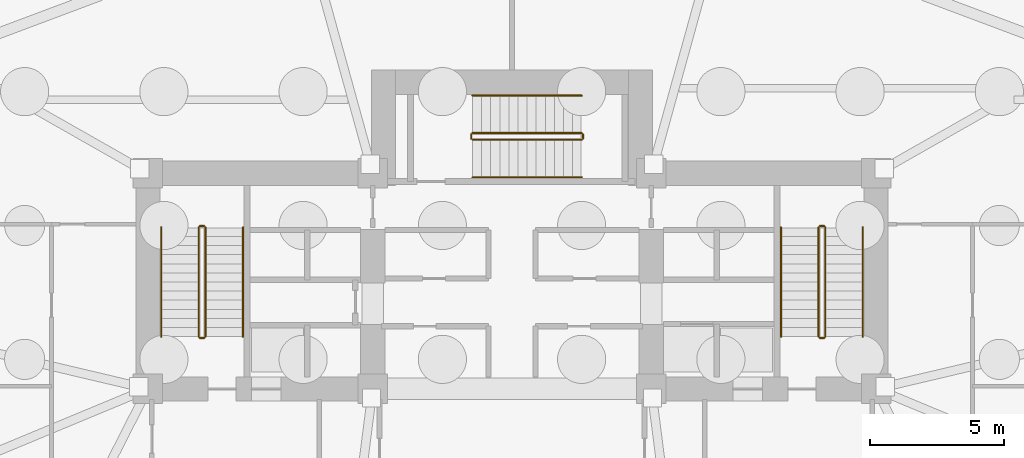
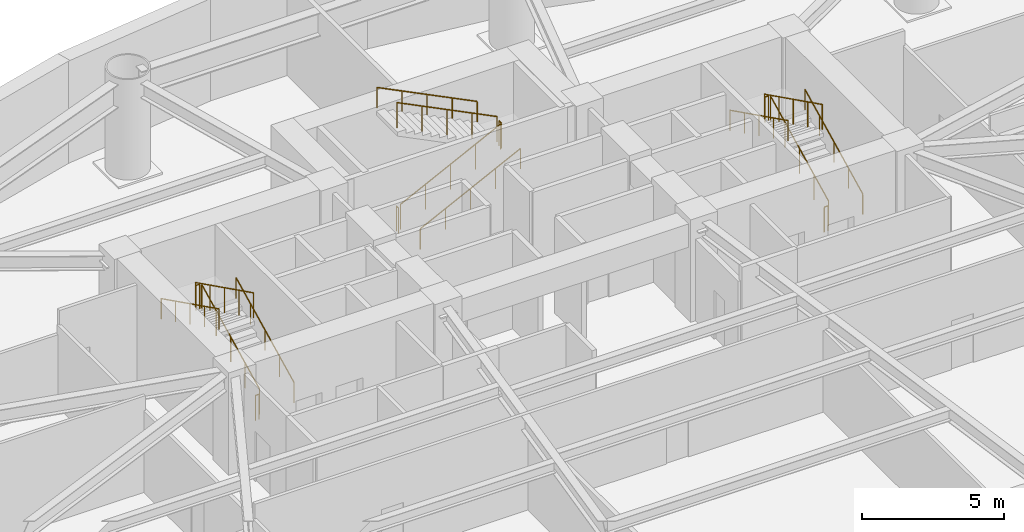
# One storey, part 6 of 7: 18 railings.
"""IFC4 building model written with IfcOpenShell, lengths in metres."""

import ifcopenshell
import ifcopenshell.guid

model = None  # the IFC model being written
_history = None  # IfcOwnerHistory: only IFC2X3 demands one
_inside = {}  # id of a spatial element -> (the spatial element, [elements in it])
_under = {}  # id of a project, library or spatial element -> (it, [spatial elements below it])
_declared = {}  # id of a project -> (the project, [libraries it declares])
_typed = {}  # id of a type object -> (the type object, [elements of that type])
_made_of = {}  # id of a material, layer set ... -> (it, [elements and type objects made of it])


def new_model(schema):
    """Start an empty IFC model of exactly this schema.

    Asked for "IFC4X3", IfcOpenShell would pick the latest addendum, in which some entities
    have other attributes; the version numbers below select the first issue.
    IFC2X3 requires an IfcOwnerHistory on every rooted entity: one is made here for all.
    """
    global model, _history
    if schema == "IFC4X3":
        model = ifcopenshell.file(schema_version=(4, 3, 0, 0))
    else:
        model = ifcopenshell.file(schema=schema)
    _inside.clear()
    _under.clear()
    _declared.clear()
    _typed.clear()
    _made_of.clear()
    _history = None
    if model.schema == "IFC2X3":
        org = make("IfcOrganization", Name="unknown")
        user = make(
            "IfcPersonAndOrganization",
            ThePerson=make("IfcPerson", FamilyName="unknown"),
            TheOrganization=org,
        )
        app = make(
            "IfcApplication",
            ApplicationDeveloper=org,
            Version="unknown",
            ApplicationFullName="unknown",
            ApplicationIdentifier="unknown",
        )
        _history = make(
            "IfcOwnerHistory",
            OwningUser=user,
            OwningApplication=app,
            ChangeAction="ADDED",
            CreationDate=0,
        )
    return model


def make(cls, **values):
    """One entity of the class cls with the attributes given. An attribute that is None is left unset."""
    return model.create_entity(
        cls, **{name: value for name, value in values.items() if value is not None}
    )


def rooted(cls, **values):
    """An entity with a GlobalId (a new one), such as an element, a storey or a relation."""
    return make(cls, GlobalId=ifcopenshell.guid.new(), OwnerHistory=_history, **values)


def si_unit(unit_type, name, prefix=None):
    """IfcSIUnit, for example si_unit("LENGTHUNIT", "METRE", prefix="MILLI")."""
    return make("IfcSIUnit", UnitType=unit_type, Prefix=prefix, Name=name)


def assignment(units):
    """IfcUnitAssignment: the units of a project."""
    return None if units is None else make("IfcUnitAssignment", Units=units)


def point(xyz):
    """IfcCartesianPoint."""
    return None if xyz is None else make("IfcCartesianPoint", Coordinates=xyz)


def direction(xyz):
    """IfcDirection."""
    return None if xyz is None else make("IfcDirection", DirectionRatios=xyz)


def frame(location, z_axis=None, x_axis=None):
    """IfcAxis2Placement3D, a coordinate frame: its origin and axes. An axis left out is left unset."""
    return make(
        "IfcAxis2Placement3D",
        Location=point(location),
        Axis=direction(z_axis),
        RefDirection=direction(x_axis),
    )


def frame_2d(location, x_axis=None):
    """IfcAxis2Placement2D, a coordinate frame in the plane: its origin and x axis."""
    return make(
        "IfcAxis2Placement2D", Location=point(location), RefDirection=direction(x_axis)
    )


def origin():
    """The frame at (0, 0, 0) with its axes left unset."""
    return frame((0.0, 0.0, 0.0))


def origin_2d():
    """The frame at (0, 0) in the plane with its x axis left unset."""
    return frame_2d((0.0, 0.0))


def place(relative_to, where):
    """IfcLocalPlacement: puts the frame where relative to a parent placement (None: the world)."""
    return make(
        "IfcLocalPlacement", PlacementRelTo=relative_to, RelativePlacement=where
    )


def context(
    kind, dimensions, precision=None, world=None, true_north=None, identifier=None
):
    """IfcGeometricRepresentationContext, for example the 3D "Model" context."""
    return make(
        "IfcGeometricRepresentationContext",
        ContextIdentifier=identifier,
        ContextType=kind,
        CoordinateSpaceDimension=dimensions,
        Precision=precision,
        WorldCoordinateSystem=world,
        TrueNorth=true_north,
    )


def subcontext(parent, identifier, kind, view, scale=None):
    """IfcGeometricRepresentationSubContext, for example "Body" below "Model"."""
    return make(
        "IfcGeometricRepresentationSubContext",
        ContextIdentifier=identifier,
        ContextType=kind,
        ParentContext=parent,
        TargetScale=scale,
        TargetView=view,
    )


def project(units=None, contexts=None):
    """IfcProject with its units and contexts."""
    return rooted(
        "IfcProject",
        Name="project",
        RepresentationContexts=contexts,
        UnitsInContext=assignment(units),
    )


def spatial(cls, under=None, at=None, **own):
    """A site, building, storey or space (cls), placed at a placement, below another one or the project."""
    s = rooted(cls, ObjectPlacement=at, **own)
    if under is not None:
        _under.setdefault(under.id(), (under, []))[1].append(s)
    return s


def profile(cls, at=None, kind="AREA", **sizes):
    """A parametric profile (cls). Its sizes go by their IFC names, for example OverallWidth=200.0."""
    return make(cls, ProfileType=kind, Position=at, **sizes)


def circle(**sizes):
    """IfcCircleProfileDef."""
    return profile("IfcCircleProfileDef", **sizes)


def extrude(swept, where, along, depth):
    """IfcExtrudedAreaSolid: the profile swept, set in the frame where, extruded along a direction by depth."""
    return make(
        "IfcExtrudedAreaSolid",
        SweptArea=swept,
        Position=where,
        ExtrudedDirection=direction(along),
        Depth=depth,
    )


def shape(context_of_items, identifier, shape_type, items):
    """IfcShapeRepresentation: the items that make up one representation, for example the "Body"."""
    return make(
        "IfcShapeRepresentation",
        ContextOfItems=context_of_items,
        RepresentationIdentifier=identifier,
        RepresentationType=shape_type,
        Items=items,
    )


def material(Name=None, Category=None):
    """IfcMaterial."""
    return make("IfcMaterial", Name=Name, Category=Category)


def made_of(thing, what):
    """Note that an element or type object is made of a material, layer set ...; save() writes the relation."""
    if what is not None:
        _made_of.setdefault(what.id(), (what, []))[1].append(thing)
    return thing


def type_object(cls, material=None, **own):
    """A type object (cls), such as IfcWallType, which elements share."""
    return made_of(rooted(cls, **own), material)


def element(
    cls,
    number,
    at=None,
    inside=None,
    cuts=None,
    type_object=None,
    material=None,
    context=None,
    identifier="Body",
    shape_type=None,
    held_by="IfcProductDefinitionShape",
    body=None,
    shapes=None,
    **own,
):
    """One element of the class cls, such as IfcWall. Its Tag is "e" and its number.

    at: its placement. inside: the storey or other place that contains it. cuts: it is an
    opening in that element (IfcRelVoidsElement). A single representation is given by context,
    identifier, shape_type and body (its items); several are given by shapes. held_by: the class
    of the entity that holds the representations. save() writes the other relations.
    """
    e = rooted(cls, Tag="e%d" % number, ObjectPlacement=at, **own)
    if body is not None:
        shapes = [shape(context, identifier, shape_type, body)]
    if shapes is not None:
        e.Representation = make(held_by, Representations=shapes)
    if inside is not None:
        _inside.setdefault(inside.id(), (inside, []))[1].append(e)
    if cuts is not None:
        rooted(
            "IfcRelVoidsElement", RelatingBuildingElement=cuts, RelatedOpeningElement=e
        )
    if type_object is not None:
        _typed.setdefault(type_object.id(), (type_object, []))[1].append(e)
    return made_of(e, material)


def aggregate(whole, parts):
    """IfcRelAggregates: a whole, such as a stair, and the parts it consists of."""
    return rooted("IfcRelAggregates", RelatingObject=whole, RelatedObjects=parts)


def save(model, path):
    """Write the relations noted so far, then the file.

    IfcRelAggregates (storeys below a building ...), IfcRelContainedInSpatialStructure (elements
    in a storey), IfcRelDefinesByType, IfcRelAssociatesMaterial and IfcRelDeclares: one each for
    every whole, place, type object, material and project.
    """
    for whole, parts in _under.values():
        aggregate(whole, parts)
    for where, things in _inside.values():
        rooted(
            "IfcRelContainedInSpatialStructure",
            RelatedElements=things,
            RelatingStructure=where,
        )
    for kind, things in _typed.values():
        rooted("IfcRelDefinesByType", RelatedObjects=things, RelatingType=kind)
    for what, things in _made_of.values():
        rooted("IfcRelAssociatesMaterial", RelatedObjects=things, RelatingMaterial=what)
    for by, libraries in _declared.values():
        rooted("IfcRelDeclares", RelatingContext=by, RelatedDefinitions=libraries)
    model.write(path)


model = new_model("IFC4")

# Units and contexts
model_context = context("Model", 3, precision=1e-05, world=origin(), true_north=direction((0.0, 1.0)))
body_context = subcontext(model_context, "Body", "Model", "MODEL_VIEW")
ifc_project = project(units=[si_unit("LENGTHUNIT", "METRE"), si_unit("AREAUNIT", "SQUARE_METRE"), si_unit("VOLUMEUNIT", "CUBIC_METRE"), si_unit("PLANEANGLEUNIT", "RADIAN"), si_unit("MASSUNIT", "GRAM", prefix="KILO")], contexts=[model_context])

# Site, building, storey
site_placement = place(None, origin())
site = spatial("IfcSite", under=ifc_project, at=site_placement, CompositionType="ELEMENT")
building_placement = place(site_placement, origin())
building = spatial("IfcBuilding", under=site, at=building_placement, Name="Keldmark Tower", CompositionType="ELEMENT")
storey_placement = place(building_placement, frame((0.0, 0.0, -8.800048828125)))
storey = spatial("IfcBuildingStorey", under=building, at=storey_placement, Name="B02", CompositionType="ELEMENT", Elevation=-8.800048828125)

# Railings
ifc_material_1 = material(Name="Painted Steel ASTM A500 Grade B", Category="steel")
railing_type_1 = type_object("IfcRailingType", Name="Painted Steel Stair Well Guard 1100 mm", PredefinedType="GUARDRAIL", material=ifc_material_1)
railing_1_placement = place(storey_placement, frame((-11.449951171875, 3.35009765625, 0.169189453125)))
element("IfcRailing", 1, at=railing_1_placement, inside=storey, type_object=railing_type_1, Name="B02 ST1 stair guard 1", PredefinedType="GUARDRAIL", context=body_context, shape_type="SweptSolid", body=[
    extrude(circle(Radius=0.02392578125, at=origin_2d()), frame((0.0, 0.0, 1.076171875), z_axis=(0.0, 0.895229316009, 0.445605735777), x_axis=(-1.0, 0.0, 0.0)), (0.0, 0.0, 1.0), 4.557373046875),
    extrude(circle(Radius=0.02099609375, at=origin_2d()), origin(), (0.0, 0.0, 1.0), 1.052001953125),
    extrude(circle(Radius=0.02099609375, at=origin_2d()), frame((0.0, 1.02001953125, 0.5078125)), (0.0, 0.0, 1.0), 1.052001953125),
    extrude(circle(Radius=0.02099609375, at=origin_2d()), frame((0.0, 2.0400390625, 1.015380859375)), (0.0, 0.0, 1.0), 1.052001953125),
    extrude(circle(Radius=0.02099609375, at=origin_2d()), frame((0.0, 3.059814453125, 1.52294921875)), (0.0, 0.0, 1.0), 1.052001953125),
    extrude(circle(Radius=0.02099609375, at=origin_2d()), frame((0.0, 4.079833984375, 2.03076171875)), (0.0, 0.0, 1.0), 1.052001953125),
])
railing_2_placement = place(storey_placement, frame((-11.5, 7.47998046875, 2.199951171875)))
element("IfcRailing", 2, at=railing_2_placement, inside=storey, type_object=railing_type_1, Name="B02 ST1 stair guard 2", PredefinedType="GUARDRAIL", context=body_context, shape_type="SweptSolid", body=[
    extrude(circle(Radius=0.02392578125, at=origin_2d()), frame((0.0, 0.0, 1.076171875), z_axis=(-1.0, 0.0, 0.0), x_axis=(0.0, -1.0, 0.0)), (0.0, 0.0, 1.0), 0.14990234375),
    extrude(circle(Radius=0.02099609375, at=origin_2d()), origin(), (0.0, 0.0, 1.0), 1.052001953125),
    extrude(circle(Radius=0.02099609375, at=origin_2d()), frame((-0.14990234375, 0.0, 0.0)), (0.0, 0.0, 1.0), 1.052001953125),
])
railing_3_placement = place(storey_placement, frame((-11.699951171875, 7.429931640625, 2.369384765625)))
element("IfcRailing", 3, at=railing_3_placement, inside=storey, type_object=railing_type_1, Name="B02 ST1 stair guard 3", PredefinedType="GUARDRAIL", context=body_context, shape_type="SweptSolid", body=[
    extrude(circle(Radius=0.02392578125, at=origin_2d()), frame((0.0, 0.0, 1.076171875), z_axis=(0.0, -0.895229316009, 0.445605735777), x_axis=(1.0, 0.0, 0.0)), (0.0, 0.0, 1.0), 4.557373046875),
    extrude(circle(Radius=0.02099609375, at=origin_2d()), origin(), (0.0, 0.0, 1.0), 1.052001953125),
    extrude(circle(Radius=0.02099609375, at=origin_2d()), frame((0.0, -1.02001953125, 0.5078125)), (0.0, 0.0, 1.0), 1.052001953125),
    extrude(circle(Radius=0.02099609375, at=origin_2d()), frame((0.0, -2.0400390625, 1.015380859375)), (0.0, 0.0, 1.0), 1.052001953125),
    extrude(circle(Radius=0.02099609375, at=origin_2d()), frame((0.0, -3.059814453125, 1.52294921875)), (0.0, 0.0, 1.0), 1.052001953125),
    extrude(circle(Radius=0.02099609375, at=origin_2d()), frame((0.0, -4.079833984375, 2.03076171875)), (0.0, 0.0, 1.0), 1.052001953125),
])
railing_4_placement = place(storey_placement, frame((-11.5, 3.300048828125, 0.0)))
element("IfcRailing", 4, at=railing_4_placement, inside=storey, type_object=railing_type_1, Name="B02 ST1 stair guard 4", PredefinedType="GUARDRAIL", context=body_context, shape_type="SweptSolid", body=[
    extrude(circle(Radius=0.02392578125, at=origin_2d()), frame((0.0, 0.0, 1.076171875), z_axis=(-1.0, 0.0, 0.0), x_axis=(0.0, -1.0, 0.0)), (0.0, 0.0, 1.0), 0.14990234375),
    extrude(circle(Radius=0.02099609375, at=origin_2d()), origin(), (0.0, 0.0, 1.0), 1.052001953125),
    extrude(circle(Radius=0.02099609375, at=origin_2d()), frame((-0.14990234375, 0.0, 0.0)), (0.0, 0.0, 1.0), 1.052001953125),
])
railing_5_placement = place(storey_placement, frame((11.699951171875, 3.35009765625, 0.169189453125)))
element("IfcRailing", 5, at=railing_5_placement, inside=storey, type_object=railing_type_1, Name="B02 ST2 stair guard 1", PredefinedType="GUARDRAIL", context=body_context, shape_type="SweptSolid", body=[
    extrude(circle(Radius=0.02392578125, at=origin_2d()), frame((0.0, 0.0, 1.076171875), z_axis=(0.0, 0.895229316009, 0.445605735777), x_axis=(-1.0, 0.0, 0.0)), (0.0, 0.0, 1.0), 4.557373046875),
    extrude(circle(Radius=0.02099609375, at=origin_2d()), origin(), (0.0, 0.0, 1.0), 1.052001953125),
    extrude(circle(Radius=0.02099609375, at=origin_2d()), frame((0.0, 1.02001953125, 0.5078125)), (0.0, 0.0, 1.0), 1.052001953125),
    extrude(circle(Radius=0.02099609375, at=origin_2d()), frame((0.0, 2.0400390625, 1.015380859375)), (0.0, 0.0, 1.0), 1.052001953125),
    extrude(circle(Radius=0.02099609375, at=origin_2d()), frame((0.0, 3.059814453125, 1.52294921875)), (0.0, 0.0, 1.0), 1.052001953125),
    extrude(circle(Radius=0.02099609375, at=origin_2d()), frame((0.0, 4.079833984375, 2.03076171875)), (0.0, 0.0, 1.0), 1.052001953125),
])
railing_6_placement = place(storey_placement, frame((11.64990234375, 7.47998046875, 2.199951171875)))
element("IfcRailing", 6, at=railing_6_placement, inside=storey, type_object=railing_type_1, Name="B02 ST2 stair guard 2", PredefinedType="GUARDRAIL", context=body_context, shape_type="SweptSolid", body=[
    extrude(circle(Radius=0.02392578125, at=origin_2d()), frame((0.0, 0.0, 1.076171875), z_axis=(-1.0, 0.0, 0.0), x_axis=(0.0, -1.0, 0.0)), (0.0, 0.0, 1.0), 0.14990234375),
    extrude(circle(Radius=0.02099609375, at=origin_2d()), origin(), (0.0, 0.0, 1.0), 1.052001953125),
    extrude(circle(Radius=0.02099609375, at=origin_2d()), frame((-0.14990234375, 0.0, 0.0)), (0.0, 0.0, 1.0), 1.052001953125),
])
railing_7_placement = place(storey_placement, frame((11.449951171875, 7.429931640625, 2.369384765625)))
element("IfcRailing", 7, at=railing_7_placement, inside=storey, type_object=railing_type_1, Name="B02 ST2 stair guard 3", PredefinedType="GUARDRAIL", context=body_context, shape_type="SweptSolid", body=[
    extrude(circle(Radius=0.02392578125, at=origin_2d()), frame((0.0, 0.0, 1.076171875), z_axis=(0.0, -0.895229316009, 0.445605735777), x_axis=(1.0, 0.0, 0.0)), (0.0, 0.0, 1.0), 4.557373046875),
    extrude(circle(Radius=0.02099609375, at=origin_2d()), origin(), (0.0, 0.0, 1.0), 1.052001953125),
    extrude(circle(Radius=0.02099609375, at=origin_2d()), frame((0.0, -1.02001953125, 0.5078125)), (0.0, 0.0, 1.0), 1.052001953125),
    extrude(circle(Radius=0.02099609375, at=origin_2d()), frame((0.0, -2.0400390625, 1.015380859375)), (0.0, 0.0, 1.0), 1.052001953125),
    extrude(circle(Radius=0.02099609375, at=origin_2d()), frame((0.0, -3.059814453125, 1.52294921875)), (0.0, 0.0, 1.0), 1.052001953125),
    extrude(circle(Radius=0.02099609375, at=origin_2d()), frame((0.0, -4.079833984375, 2.03076171875)), (0.0, 0.0, 1.0), 1.052001953125),
])
railing_8_placement = place(storey_placement, frame((11.64990234375, 3.300048828125, 0.0)))
element("IfcRailing", 8, at=railing_8_placement, inside=storey, type_object=railing_type_1, Name="B02 ST2 stair guard 4", PredefinedType="GUARDRAIL", context=body_context, shape_type="SweptSolid", body=[
    extrude(circle(Radius=0.02392578125, at=origin_2d()), frame((0.0, 0.0, 1.076171875), z_axis=(-1.0, 0.0, 0.0), x_axis=(0.0, -1.0, 0.0)), (0.0, 0.0, 1.0), 0.14990234375),
    extrude(circle(Radius=0.02099609375, at=origin_2d()), origin(), (0.0, 0.0, 1.0), 1.052001953125),
    extrude(circle(Radius=0.02099609375, at=origin_2d()), frame((-0.14990234375, 0.0, 0.0)), (0.0, 0.0, 1.0), 1.052001953125),
])
railing_9_placement = place(storey_placement, frame((-1.47509765625, 10.699951171875, 0.169189453125)))
element("IfcRailing", 9, at=railing_9_placement, inside=storey, type_object=railing_type_1, Name="B02 ST3 stair guard 1", PredefinedType="GUARDRAIL", context=body_context, shape_type="SweptSolid", body=[
    extrude(circle(Radius=0.02392578125, at=origin_2d()), frame((0.0, 0.0, 1.076171875), z_axis=(0.895239952593, 0.0, 0.445584366064), x_axis=(0.0, 1.0, 0.0)), (0.0, 0.0, 1.0), 4.5576171875),
    extrude(circle(Radius=0.02099609375, at=origin_2d()), origin(), (0.0, 0.0, 1.0), 1.052001953125),
    extrude(circle(Radius=0.02099609375, at=origin_2d()), frame((1.02001953125, 0.0, 0.5078125)), (0.0, 0.0, 1.0), 1.052001953125),
    extrude(circle(Radius=0.02099609375, at=origin_2d()), frame((2.0400390625, 0.0, 1.015380859375)), (0.0, 0.0, 1.0), 1.052001953125),
    extrude(circle(Radius=0.02099609375, at=origin_2d()), frame((3.06005859375, 0.0, 1.52294921875)), (0.0, 0.0, 1.0), 1.052001953125),
    extrude(circle(Radius=0.02099609375, at=origin_2d()), frame((4.080078125, 0.0, 2.03076171875)), (0.0, 0.0, 1.0), 1.052001953125),
])
railing_10_placement = place(storey_placement, frame((2.655029296875, 10.75, 2.199951171875)))
element("IfcRailing", 10, at=railing_10_placement, inside=storey, type_object=railing_type_1, Name="B02 ST3 stair guard 2", PredefinedType="GUARDRAIL", context=body_context, shape_type="SweptSolid", body=[
    extrude(circle(Radius=0.02392578125, at=origin_2d()), frame((0.0, 0.0, 1.076171875), z_axis=(0.0, 1.0, 0.0), x_axis=(-1.0, 0.0, 0.0)), (0.0, 0.0, 1.0), 0.14990234375),
    extrude(circle(Radius=0.02099609375, at=origin_2d()), origin(), (0.0, 0.0, 1.0), 1.052001953125),
    extrude(circle(Radius=0.02099609375, at=origin_2d()), frame((0.0, 0.14990234375, 0.0)), (0.0, 0.0, 1.0), 1.052001953125),
])
railing_11_placement = place(storey_placement, frame((2.60498046875, 10.949951171875, 2.369384765625)))
element("IfcRailing", 11, at=railing_11_placement, inside=storey, type_object=railing_type_1, Name="B02 ST3 stair guard 3", PredefinedType="GUARDRAIL", context=body_context, shape_type="SweptSolid", body=[
    extrude(circle(Radius=0.02392578125, at=origin_2d()), frame((0.0, 0.0, 1.076171875), z_axis=(-0.895239952593, 0.0, 0.445584366064), x_axis=(0.0, -1.0, 0.0)), (0.0, 0.0, 1.0), 4.5576171875),
    extrude(circle(Radius=0.02099609375, at=origin_2d()), origin(), (0.0, 0.0, 1.0), 1.052001953125),
    extrude(circle(Radius=0.02099609375, at=origin_2d()), frame((-1.02001953125, 0.0, 0.5078125)), (0.0, 0.0, 1.0), 1.052001953125),
    extrude(circle(Radius=0.02099609375, at=origin_2d()), frame((-2.0400390625, 0.0, 1.015380859375)), (0.0, 0.0, 1.0), 1.052001953125),
    extrude(circle(Radius=0.02099609375, at=origin_2d()), frame((-3.06005859375, 0.0, 1.52294921875)), (0.0, 0.0, 1.0), 1.052001953125),
    extrude(circle(Radius=0.02099609375, at=origin_2d()), frame((-4.080078125, 0.0, 2.03076171875)), (0.0, 0.0, 1.0), 1.052001953125),
])
railing_12_placement = place(storey_placement, frame((-1.52490234375, 10.75, 0.0)))
element("IfcRailing", 12, at=railing_12_placement, inside=storey, type_object=railing_type_1, Name="B02 ST3 stair guard 4", PredefinedType="GUARDRAIL", context=body_context, shape_type="SweptSolid", body=[
    extrude(circle(Radius=0.02392578125, at=origin_2d()), frame((0.0, 0.0, 1.076171875), z_axis=(0.0, 1.0, 0.0), x_axis=(-1.0, 0.0, 0.0)), (0.0, 0.0, 1.0), 0.14990234375),
    extrude(circle(Radius=0.02099609375, at=origin_2d()), origin(), (0.0, 0.0, 1.0), 1.052001953125),
    extrude(circle(Radius=0.02099609375, at=origin_2d()), frame((0.0, 0.14990234375, 0.0)), (0.0, 0.0, 1.0), 1.052001953125),
])
ifc_material_2 = material(Name="Stainless Steel AISI 316L", Category="steel")
railing_type_2 = type_object("IfcRailingType", Name="Stainless Steel Stair Handrail 900 mm", PredefinedType="HANDRAIL", material=ifc_material_2)
railing_13_placement = place(storey_placement, frame((-10.050048828125, 3.35009765625, 0.169189453125)))
element("IfcRailing", 13, at=railing_13_placement, inside=storey, type_object=railing_type_2, Name="B02 ST1 stair handrail 1", PredefinedType="HANDRAIL", context=body_context, shape_type="SweptSolid", body=[
    extrude(circle(Radius=0.02392578125, at=origin_2d()), frame((0.0, 0.0, 0.8759765625), z_axis=(0.0, 0.895229316009, 0.445605735777), x_axis=(-1.0, 0.0, 0.0)), (0.0, 0.0, 1.0), 4.557373046875),
    extrude(circle(Radius=0.02099609375, at=origin_2d()), origin(), (0.0, 0.0, 1.0), 0.851806640625),
    extrude(circle(Radius=0.02099609375, at=origin_2d()), frame((0.0, 1.02001953125, 0.5078125)), (0.0, 0.0, 1.0), 0.851806640625),
    extrude(circle(Radius=0.02099609375, at=origin_2d()), frame((0.0, 2.0400390625, 1.015380859375)), (0.0, 0.0, 1.0), 0.851806640625),
    extrude(circle(Radius=0.02099609375, at=origin_2d()), frame((0.0, 3.059814453125, 1.52294921875)), (0.0, 0.0, 1.0), 0.851806640625),
    extrude(circle(Radius=0.02099609375, at=origin_2d()), frame((0.0, 4.079833984375, 2.03076171875)), (0.0, 0.0, 1.0), 0.851806640625),
])
railing_14_placement = place(storey_placement, frame((-13.10009765625, 7.429931640625, 2.369384765625)))
element("IfcRailing", 14, at=railing_14_placement, inside=storey, type_object=railing_type_2, Name="B02 ST1 stair handrail 2", PredefinedType="HANDRAIL", context=body_context, shape_type="SweptSolid", body=[
    extrude(circle(Radius=0.02392578125, at=origin_2d()), frame((0.0, 0.0, 0.8759765625), z_axis=(0.0, -0.895229316009, 0.445605735777), x_axis=(1.0, 0.0, 0.0)), (0.0, 0.0, 1.0), 4.557373046875),
    extrude(circle(Radius=0.02099609375, at=origin_2d()), origin(), (0.0, 0.0, 1.0), 0.851806640625),
    extrude(circle(Radius=0.02099609375, at=origin_2d()), frame((0.0, -1.02001953125, 0.5078125)), (0.0, 0.0, 1.0), 0.851806640625),
    extrude(circle(Radius=0.02099609375, at=origin_2d()), frame((0.0, -2.0400390625, 1.015380859375)), (0.0, 0.0, 1.0), 0.851806640625),
    extrude(circle(Radius=0.02099609375, at=origin_2d()), frame((0.0, -3.059814453125, 1.52294921875)), (0.0, 0.0, 1.0), 0.851806640625),
    extrude(circle(Radius=0.02099609375, at=origin_2d()), frame((0.0, -4.079833984375, 2.03076171875)), (0.0, 0.0, 1.0), 0.851806640625),
])
railing_15_placement = place(storey_placement, frame((13.10009765625, 3.35009765625, 0.169189453125)))
element("IfcRailing", 15, at=railing_15_placement, inside=storey, type_object=railing_type_2, Name="B02 ST2 stair handrail 1", PredefinedType="HANDRAIL", context=body_context, shape_type="SweptSolid", body=[
    extrude(circle(Radius=0.02392578125, at=origin_2d()), frame((0.0, 0.0, 0.8759765625), z_axis=(0.0, 0.895229316009, 0.445605735777), x_axis=(-1.0, 0.0, 0.0)), (0.0, 0.0, 1.0), 4.557373046875),
    extrude(circle(Radius=0.02099609375, at=origin_2d()), origin(), (0.0, 0.0, 1.0), 0.851806640625),
    extrude(circle(Radius=0.02099609375, at=origin_2d()), frame((0.0, 1.02001953125, 0.5078125)), (0.0, 0.0, 1.0), 0.851806640625),
    extrude(circle(Radius=0.02099609375, at=origin_2d()), frame((0.0, 2.0400390625, 1.015380859375)), (0.0, 0.0, 1.0), 0.851806640625),
    extrude(circle(Radius=0.02099609375, at=origin_2d()), frame((0.0, 3.059814453125, 1.52294921875)), (0.0, 0.0, 1.0), 0.851806640625),
    extrude(circle(Radius=0.02099609375, at=origin_2d()), frame((0.0, 4.079833984375, 2.03076171875)), (0.0, 0.0, 1.0), 0.851806640625),
])
railing_16_placement = place(storey_placement, frame((10.050048828125, 7.429931640625, 2.369384765625)))
element("IfcRailing", 16, at=railing_16_placement, inside=storey, type_object=railing_type_2, Name="B02 ST2 stair handrail 2", PredefinedType="HANDRAIL", context=body_context, shape_type="SweptSolid", body=[
    extrude(circle(Radius=0.02392578125, at=origin_2d()), frame((0.0, 0.0, 0.8759765625), z_axis=(0.0, -0.895229316009, 0.445605735777), x_axis=(1.0, 0.0, 0.0)), (0.0, 0.0, 1.0), 4.557373046875),
    extrude(circle(Radius=0.02099609375, at=origin_2d()), origin(), (0.0, 0.0, 1.0), 0.851806640625),
    extrude(circle(Radius=0.02099609375, at=origin_2d()), frame((0.0, -1.02001953125, 0.5078125)), (0.0, 0.0, 1.0), 0.851806640625),
    extrude(circle(Radius=0.02099609375, at=origin_2d()), frame((0.0, -2.0400390625, 1.015380859375)), (0.0, 0.0, 1.0), 0.851806640625),
    extrude(circle(Radius=0.02099609375, at=origin_2d()), frame((0.0, -3.059814453125, 1.52294921875)), (0.0, 0.0, 1.0), 0.851806640625),
    extrude(circle(Radius=0.02099609375, at=origin_2d()), frame((0.0, -4.079833984375, 2.03076171875)), (0.0, 0.0, 1.0), 0.851806640625),
])
railing_17_placement = place(storey_placement, frame((-1.47509765625, 9.300048828125, 0.169189453125)))
element("IfcRailing", 17, at=railing_17_placement, inside=storey, type_object=railing_type_2, Name="B02 ST3 stair handrail 1", PredefinedType="HANDRAIL", context=body_context, shape_type="SweptSolid", body=[
    extrude(circle(Radius=0.02392578125, at=origin_2d()), frame((0.0, 0.0, 0.8759765625), z_axis=(0.895239952593, 0.0, 0.445584366064), x_axis=(0.0, 1.0, 0.0)), (0.0, 0.0, 1.0), 4.5576171875),
    extrude(circle(Radius=0.02099609375, at=origin_2d()), origin(), (0.0, 0.0, 1.0), 0.851806640625),
    extrude(circle(Radius=0.02099609375, at=origin_2d()), frame((1.02001953125, 0.0, 0.5078125)), (0.0, 0.0, 1.0), 0.851806640625),
    extrude(circle(Radius=0.02099609375, at=origin_2d()), frame((2.0400390625, 0.0, 1.015380859375)), (0.0, 0.0, 1.0), 0.851806640625),
    extrude(circle(Radius=0.02099609375, at=origin_2d()), frame((3.06005859375, 0.0, 1.52294921875)), (0.0, 0.0, 1.0), 0.851806640625),
    extrude(circle(Radius=0.02099609375, at=origin_2d()), frame((4.080078125, 0.0, 2.03076171875)), (0.0, 0.0, 1.0), 0.851806640625),
])
railing_18_placement = place(storey_placement, frame((2.60498046875, 12.35009765625, 2.369384765625)))
element("IfcRailing", 18, at=railing_18_placement, inside=storey, type_object=railing_type_2, Name="B02 ST3 stair handrail 2", PredefinedType="HANDRAIL", context=body_context, shape_type="SweptSolid", body=[
    extrude(circle(Radius=0.02392578125, at=origin_2d()), frame((0.0, 0.0, 0.8759765625), z_axis=(-0.895239952593, 0.0, 0.445584366064), x_axis=(0.0, -1.0, 0.0)), (0.0, 0.0, 1.0), 4.5576171875),
    extrude(circle(Radius=0.02099609375, at=origin_2d()), origin(), (0.0, 0.0, 1.0), 0.851806640625),
    extrude(circle(Radius=0.02099609375, at=origin_2d()), frame((-1.02001953125, 0.0, 0.5078125)), (0.0, 0.0, 1.0), 0.851806640625),
    extrude(circle(Radius=0.02099609375, at=origin_2d()), frame((-2.0400390625, 0.0, 1.015380859375)), (0.0, 0.0, 1.0), 0.851806640625),
    extrude(circle(Radius=0.02099609375, at=origin_2d()), frame((-3.06005859375, 0.0, 1.52294921875)), (0.0, 0.0, 1.0), 0.851806640625),
    extrude(circle(Radius=0.02099609375, at=origin_2d()), frame((-4.080078125, 0.0, 2.03076171875)), (0.0, 0.0, 1.0), 0.851806640625),
])

save(model, "model.ifc")
